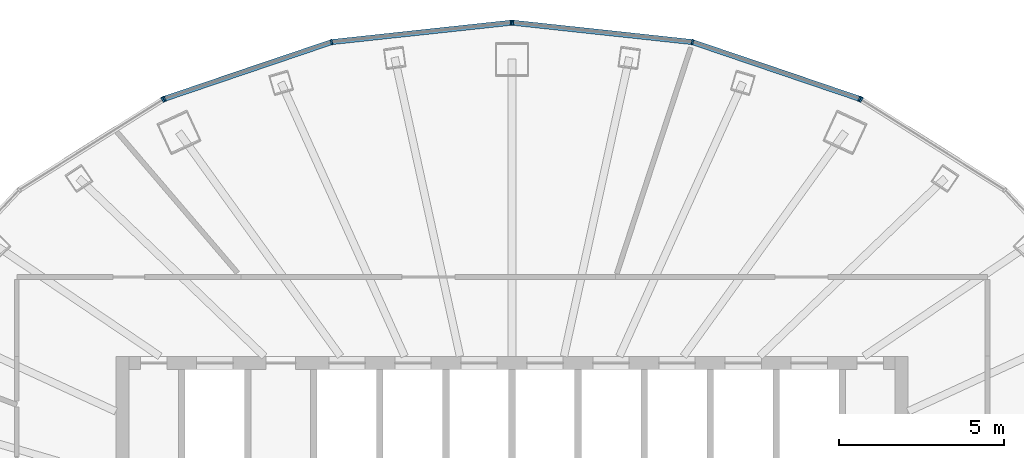
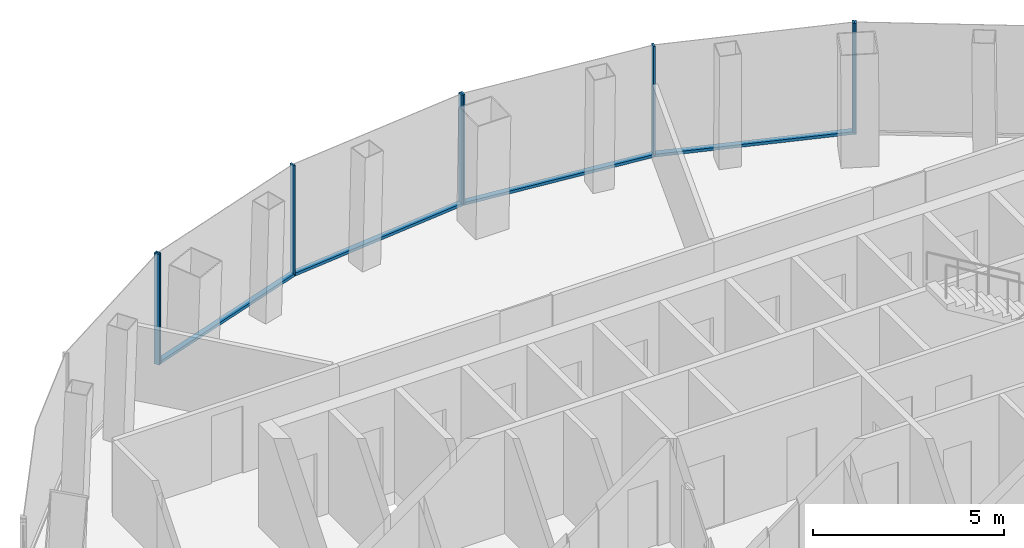
# One storey, part 6 of 11: 12 members, 4 elements without a shape of their own.
"""IFC4 building model written with IfcOpenShell, lengths in metres."""

from ifc_helpers import new_model, si_unit, direction, frame, origin, origin_2d, place, context, subcontext, project, spatial, rectangle, extrude, material, layer, layer_set, material_profile, profile_set, type_object, element, aggregate, save


model = new_model("IFC4")

# Units and contexts
model_context = context("Model", 3, precision=1e-05, world=origin(), true_north=direction((0.0, 1.0)))
body_context = subcontext(model_context, "Body", "Model", "MODEL_VIEW")
ifc_project = project(units=[si_unit("LENGTHUNIT", "METRE"), si_unit("AREAUNIT", "SQUARE_METRE"), si_unit("VOLUMEUNIT", "CUBIC_METRE"), si_unit("PLANEANGLEUNIT", "RADIAN"), si_unit("MASSUNIT", "GRAM", prefix="KILO")], contexts=[model_context])

# Site, building, storey
site_placement = place(None, origin())
site = spatial("IfcSite", under=ifc_project, at=site_placement, CompositionType="ELEMENT")
building_placement = place(site_placement, origin())
building = spatial("IfcBuilding", under=site, at=building_placement, Name="Siaravel Broadcast Tower", CompositionType="ELEMENT")
storey_placement = place(building_placement, frame((0.0, 0.0, 243.0)))
storey = spatial("IfcBuildingStorey", under=building, at=storey_placement, Name="L59", CompositionType="ELEMENT", Elevation=243.0)

# Curtain wall, member
ifc_material = material(Name="Aluminium 6063-T6", Category="aluminium")
ifc_layer = layer(ifc_material, 0.159912109375)
ifc_layer_set = layer_set([ifc_layer], Name="Aluminium 6063-T6")
curtain_wall_type = type_object("IfcCurtainWallType", Name="Unitised curtain wall, zone 4", PredefinedType="NOTDEFINED", material=ifc_layer_set)
curtain_wall_1_placement = place(storey_placement, origin())
curtain_wall_1 = element("IfcCurtainWall", 1, at=curtain_wall_1_placement, inside=storey, type_object=curtain_wall_type, Name="L59 Unitised curtain wall, zone 4 02", PredefinedType="NOTDEFINED")
ifc_material_profile_1 = material_profile(ifc_material, rectangle(XDim=0.159912109375, YDim=0.054931640625, at=origin_2d()))
ifc_profile_set_1 = profile_set([ifc_material_profile_1], Name="Aluminium 6063-T6")
member_type_1 = type_object("IfcMemberType", Name="CW-Z4 mullion", PredefinedType="MULLION", material=ifc_profile_set_1)
member_1_placement = place(storey_placement, frame((10.57861328125, 14.9755859375, 0.0), z_axis=(0.0, 0.0, 1.0), x_axis=(-0.532150463, -0.846649801, 0.0)))
member_1 = element("IfcMember", 2, at=member_1_placement, type_object=member_type_1, Name="CW-Z4 mullion 3", PredefinedType="MULLION", context=body_context, shape_type="SweptSolid", body=[
    extrude(rectangle(XDim=0.159912109375, YDim=0.054931640625, at=origin_2d()), origin(), (0.0, 0.0, 1.0), 3.550048828125),
])
aggregate(curtain_wall_1, [member_1])

# Curtain wall, members
curtain_wall_2_placement = place(storey_placement, origin())
curtain_wall_2 = element("IfcCurtainWall", 3, at=curtain_wall_2_placement, inside=storey, type_object=curtain_wall_type, Name="L59 Unitised curtain wall, zone 4 03", PredefinedType="NOTDEFINED")
member_2_placement = place(storey_placement, frame((10.529296875, 14.998779296875, 0.0), z_axis=(0.0, 0.0, 1.0), x_axis=(-0.321301466, -0.946976963, 0.0)))
member_2 = element("IfcMember", 4, at=member_2_placement, type_object=member_type_1, Name="CW-Z4 mullion 1", PredefinedType="MULLION", context=body_context, shape_type="SweptSolid", body=[
    extrude(rectangle(XDim=0.159912109375, YDim=0.054931640625, at=origin_2d()), origin(), (0.0, 0.0, 1.0), 3.550048828125),
])
member_3_placement = place(storey_placement, frame((5.46337890625, 16.7177734375, 0.0), z_axis=(0.0, 0.0, 1.0), x_axis=(-0.215558647, -0.976490896, 0.0)))
member_3 = element("IfcMember", 5, at=member_3_placement, type_object=member_type_1, Name="CW-Z4 mullion 2", PredefinedType="MULLION", context=body_context, shape_type="SweptSolid", body=[
    extrude(rectangle(XDim=0.159912109375, YDim=0.054931640625, at=origin_2d()), origin(), (0.0, 0.0, 1.0), 3.550048828125),
])
member_4_placement = place(storey_placement, frame((0.02734375, 17.303955078125, 0.0), z_axis=(0.0, 0.0, 1.0), x_axis=(-0.107217782, -0.994235559, 0.0)))
member_4 = element("IfcMember", 6, at=member_4_placement, type_object=member_type_1, Name="CW-Z4 mullion 3", PredefinedType="MULLION", context=body_context, shape_type="SweptSolid", body=[
    extrude(rectangle(XDim=0.159912109375, YDim=0.054931640625, at=origin_2d()), origin(), (0.0, 0.0, 1.0), 3.550048828125),
])

curtain_wall_3_placement = place(storey_placement, origin())
curtain_wall_3 = element("IfcCurtainWall", 7, at=curtain_wall_3_placement, inside=storey, type_object=curtain_wall_type, Name="L59 Unitised curtain wall, zone 4 04", PredefinedType="NOTDEFINED")
member_5_placement = place(storey_placement, frame((-0.02734375, 17.303955078125, 0.0), z_axis=(0.0, 0.0, 1.0), x_axis=(0.107217782, -0.994235559, 0.0)))
member_5 = element("IfcMember", 8, at=member_5_placement, type_object=member_type_1, Name="CW-Z4 mullion 1", PredefinedType="MULLION", context=body_context, shape_type="SweptSolid", body=[
    extrude(rectangle(XDim=0.159912109375, YDim=0.054931640625, at=origin_2d()), origin(), (0.0, 0.0, 1.0), 3.550048828125),
])
member_6_placement = place(storey_placement, frame((-5.46337890625, 16.7177734375, 0.0), z_axis=(0.0, 0.0, 1.0), x_axis=(0.215558647, -0.976490896, 0.0)))
member_6 = element("IfcMember", 9, at=member_6_placement, type_object=member_type_1, Name="CW-Z4 mullion 2", PredefinedType="MULLION", context=body_context, shape_type="SweptSolid", body=[
    extrude(rectangle(XDim=0.159912109375, YDim=0.054931640625, at=origin_2d()), origin(), (0.0, 0.0, 1.0), 3.550048828125),
])
member_7_placement = place(storey_placement, frame((-10.529296875, 14.998779296875, 0.0), z_axis=(0.0, 0.0, 1.0), x_axis=(0.321301466, -0.946976963, 0.0)))
member_7 = element("IfcMember", 10, at=member_7_placement, type_object=member_type_1, Name="CW-Z4 mullion 3", PredefinedType="MULLION", context=body_context, shape_type="SweptSolid", body=[
    extrude(rectangle(XDim=0.159912109375, YDim=0.054931640625, at=origin_2d()), origin(), (0.0, 0.0, 1.0), 3.550048828125),
])

# Curtain wall, member
curtain_wall_4_placement = place(storey_placement, origin())
curtain_wall_4 = element("IfcCurtainWall", 11, at=curtain_wall_4_placement, inside=storey, type_object=curtain_wall_type, Name="L59 Unitised curtain wall, zone 4 05", PredefinedType="NOTDEFINED")
member_8_placement = place(storey_placement, frame((-10.57861328125, 14.9755859375, 0.0), z_axis=(0.0, 0.0, 1.0), x_axis=(0.532150463, -0.846649801, 0.0)))
member_8 = element("IfcMember", 12, at=member_8_placement, type_object=member_type_1, Name="CW-Z4 mullion 1", PredefinedType="MULLION", context=body_context, shape_type="SweptSolid", body=[
    extrude(rectangle(XDim=0.159912109375, YDim=0.054931640625, at=origin_2d()), origin(), (0.0, 0.0, 1.0), 3.550048828125),
])
aggregate(curtain_wall_4, [member_8])

# Member
ifc_material_profile_2 = material_profile(ifc_material, rectangle(XDim=0.159912109375, YDim=0.090087890625, at=origin_2d()))
ifc_profile_set_2 = profile_set([ifc_material_profile_2], Name="Aluminium 6063-T6")
member_type_2 = type_object("IfcMemberType", Name="CW-Z4 transom", PredefinedType="USERDEFINED", material=ifc_profile_set_2)
member_9_placement = place(storey_placement, frame((10.503173828125, 15.0078125, 0.044921875), z_axis=(-0.946972687, 0.321314067, 0.0), x_axis=(-0.321314067, -0.946972687, 0.0)))
member_9 = element("IfcMember", 13, at=member_9_placement, type_object=member_type_2, Name="CW-Z4 transom 1", ObjectType="TRANSOM", PredefinedType="USERDEFINED", context=body_context, shape_type="SweptSolid", body=[
    extrude(rectangle(XDim=0.159912109375, YDim=0.090087890625, at=origin_2d()), origin(), (0.0, 0.0, 1.0), 5.29443359375),
])

member_10_placement = place(storey_placement, frame((5.43603515625, 16.720703125, 0.044921875), z_axis=(-0.994235542, 0.107217942, 0.0), x_axis=(-0.107217942, -0.994235542, 0.0)))
member_10 = element("IfcMember", 14, at=member_10_placement, type_object=member_type_2, Name="CW-Z4 transom 2", ObjectType="TRANSOM", PredefinedType="USERDEFINED", context=body_context, shape_type="SweptSolid", body=[
    extrude(rectangle(XDim=0.159912109375, YDim=0.090087890625, at=origin_2d()), origin(), (0.0, 0.0, 1.0), 5.41259765625),
])

aggregate(curtain_wall_2, [member_2, member_3, member_4, member_9, member_10])

member_11_placement = place(storey_placement, frame((-0.0546875, 17.301025390625, 0.044921875), z_axis=(-0.994235542, -0.107217942, 0.0), x_axis=(0.107217942, -0.994235542, 0.0)))
member_11 = element("IfcMember", 15, at=member_11_placement, type_object=member_type_2, Name="CW-Z4 transom 1", ObjectType="TRANSOM", PredefinedType="USERDEFINED", context=body_context, shape_type="SweptSolid", body=[
    extrude(rectangle(XDim=0.159912109375, YDim=0.090087890625, at=origin_2d()), origin(), (0.0, 0.0, 1.0), 5.41259765625),
])

member_12_placement = place(storey_placement, frame((-5.489501953125, 16.708984375, 0.044921875), z_axis=(-0.946972687, -0.321314067, 0.0), x_axis=(0.321314067, -0.946972687, 0.0)))
member_12 = element("IfcMember", 16, at=member_12_placement, type_object=member_type_2, Name="CW-Z4 transom 2", ObjectType="TRANSOM", PredefinedType="USERDEFINED", context=body_context, shape_type="SweptSolid", body=[
    extrude(rectangle(XDim=0.159912109375, YDim=0.090087890625, at=origin_2d()), origin(), (0.0, 0.0, 1.0), 5.29443359375),
])

aggregate(curtain_wall_3, [member_5, member_6, member_7, member_11, member_12])

save(model, "model.ifc")
